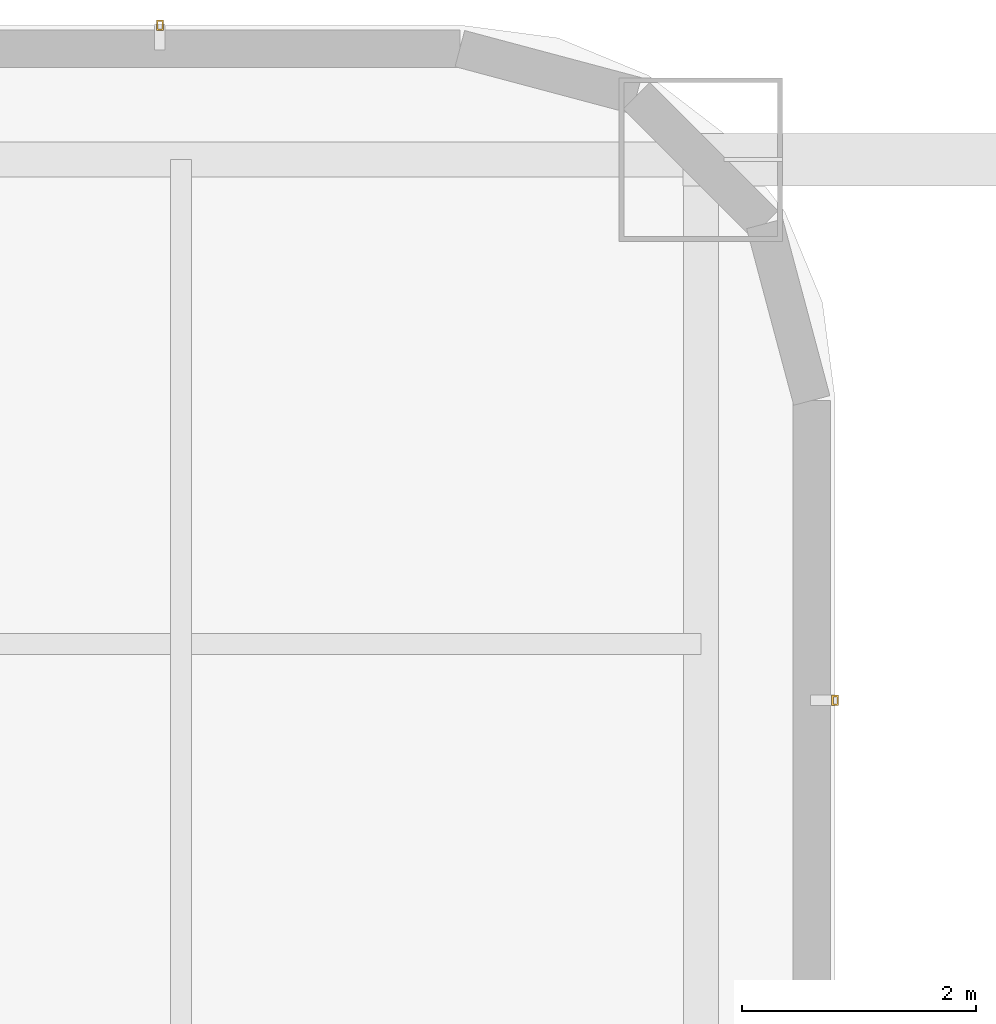
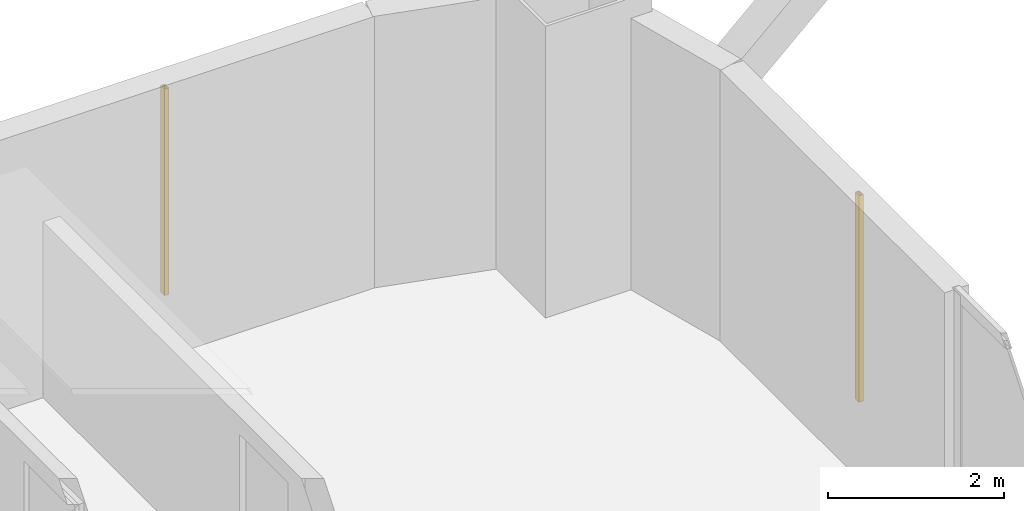
# One storey, part 46 of 46: 2 shading devices.
"""IFC4 building model written with IfcOpenShell, lengths in metres."""

from ifc_helpers import new_model, si_unit, direction, frame, origin, origin_2d, place, context, subcontext, project, spatial, hollow_rectangle, extrude, material, material_profile, profile_set, type_object, element, save


model = new_model("IFC4")

# Units and contexts
model_context = context("Model", 3, precision=1e-05, world=origin(), true_north=direction((0.0, 1.0)))
body_context = subcontext(model_context, "Body", "Model", "MODEL_VIEW")
ifc_project = project(units=[si_unit("LENGTHUNIT", "METRE"), si_unit("AREAUNIT", "SQUARE_METRE"), si_unit("VOLUMEUNIT", "CUBIC_METRE"), si_unit("PLANEANGLEUNIT", "RADIAN"), si_unit("MASSUNIT", "GRAM", prefix="KILO")], contexts=[model_context])

# Site, building, storey
site_placement = place(None, origin())
site = spatial("IfcSite", under=ifc_project, at=site_placement, CompositionType="ELEMENT")
building_placement = place(site_placement, origin())
building = spatial("IfcBuilding", under=site, at=building_placement, Name="Punatoya Terracotta Tower", CompositionType="ELEMENT")
storey_placement = place(building_placement, frame((0.0, 0.0, 200.550048828125)))
storey = spatial("IfcBuildingStorey", under=building, at=storey_placement, Name="L47", CompositionType="ELEMENT", Elevation=200.550048828125)

# Shading devices
ifc_material = material(Name="Architectural Fired Terracotta", Category="masonry")
ifc_material_profile = material_profile(ifc_material, hollow_rectangle(XDim=0.06005859375, YDim=0.090087890625, WallThickness=0.013916015625, at=origin_2d()))
ifc_profile_set = profile_set([ifc_material_profile], Name="Architectural Fired Terracotta")
shading_device_type = type_object("IfcShadingDeviceType", Name="SHD-JALI-90", PredefinedType="JALOUSIE", material=ifc_profile_set)
for number, where, z_axis, x_axis, name in (
    (1, (20.25, 12.868408203125, 0.599853515625), (0.0, 0.0, 1.0), (1.0, 0.0, 0.0), "L47 Braced Bay Terracotta Jali Fin E2"),
    (2, (14.468505859375, 18.64990234375, 0.599853515625), (0.0, 0.0, 1.0), (1.0, 0.0, 0.0), "L47 Braced Bay Terracotta Jali Fin N1"),
):
    element("IfcShadingDevice", number, at=place(storey_placement, frame(where, z_axis=z_axis, x_axis=x_axis)), inside=storey, type_object=shading_device_type, Name=name, PredefinedType="JALOUSIE", context=body_context, shape_type="SweptSolid", body=[
        extrude(hollow_rectangle(XDim=0.06005859375, YDim=0.090087890625, WallThickness=0.013916015625, at=origin_2d()), origin(), (0.0, 0.0, 1.0), 2.8701171875),
    ])

save(model, "model.ifc")
